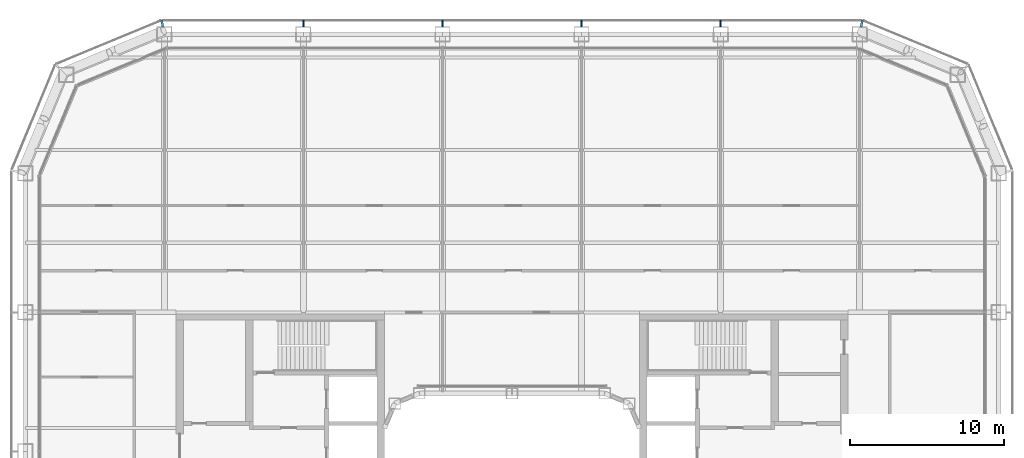
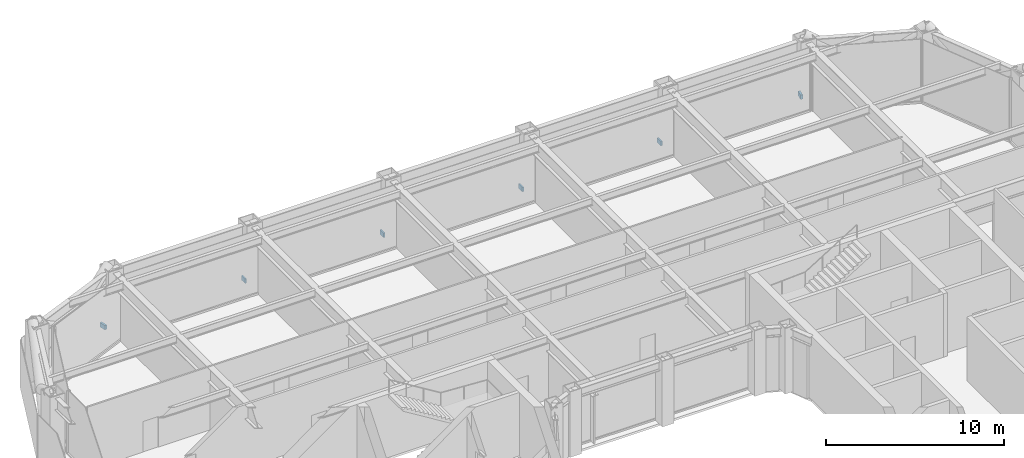
# One storey, part 19 of 24: 6 discrete accessories.
"""IFC4 building model written with IfcOpenShell, lengths in metres."""

from ifc_helpers import new_model, si_unit, direction, frame, origin, origin_2d, place, context, subcontext, project, spatial, rectangle, extrude, material, type_object, element, save


model = new_model("IFC4")

# Units and contexts
model_context = context("Model", 3, precision=1e-05, world=origin(), true_north=direction((0.0, 1.0)))
body_context = subcontext(model_context, "Body", "Model", "MODEL_VIEW")
ifc_project = project(units=[si_unit("LENGTHUNIT", "METRE"), si_unit("AREAUNIT", "SQUARE_METRE"), si_unit("VOLUMEUNIT", "CUBIC_METRE"), si_unit("PLANEANGLEUNIT", "RADIAN"), si_unit("MASSUNIT", "GRAM", prefix="KILO")], contexts=[model_context])

# Site, building, storey
site_placement = place(None, origin())
site = spatial("IfcSite", under=ifc_project, at=site_placement, CompositionType="ELEMENT")
building_placement = place(site_placement, origin())
building = spatial("IfcBuilding", under=site, at=building_placement, Name="Siwar Civic Tower", CompositionType="ELEMENT")
storey_placement = place(building_placement, frame((0.0, 0.0, 76.199951171875)))
storey = spatial("IfcBuildingStorey", under=building, at=storey_placement, Name="L16", CompositionType="ELEMENT", Elevation=76.199951171875)

# Discrete accessories
ifc_material = material(Name="Stainless steel 316", Category="steel")
discrete_accessory_type = type_object("IfcDiscreteAccessoryType", Name="ENV-BRACKET", PredefinedType="BRACKET", material=ifc_material)
for number, where, z_axis, x_axis, name in (
    (1, (13.5, 32.18994140625, -0.14990234375), (0.0, 0.0, 1.0), (0.0, 1.0, 0.0), "Bracket outer skin joint N-01"),
    (2, (4.5, 32.18994140625, -0.14990234375), (0.0, 0.0, 1.0), (0.0, 1.0, 0.0), "Bracket outer skin joint N-02"),
    (3, (-4.5, 32.18994140625, -0.14990234375), (0.0, 0.0, 1.0), (0.0, 1.0, 0.0), "Bracket outer skin joint N-03"),
    (4, (-13.5, 32.18994140625, -0.14990234375), (0.0, 0.0, 1.0), (0.0, 1.0, 0.0), "Bracket outer skin joint N-04"),
):
    element("IfcDiscreteAccessory", number, at=place(storey_placement, frame(where, z_axis=z_axis, x_axis=x_axis)), inside=storey, type_object=discrete_accessory_type, Name=name, PredefinedType="BRACKET", context=body_context, shape_type="SweptSolid", body=[
        extrude(rectangle(XDim=0.419921875, YDim=0.10009765625, at=origin_2d()), origin(), (0.0, 0.0, 1.0), 0.300048828125),
    ])
for number, where, z_axis, x_axis, name in (
    (5, (22.63720703125, 32.190185546875, -0.14990234375), (0.0, 0.0, 1.0), (0.195090322016, 0.980785280403, 0.0), "Bracket outer skin joint V06"),
    (6, (-22.63720703125, 32.190185546875, -0.14990234375), (0.0, 0.0, 1.0), (-0.195090322016, 0.980785280403, 0.0), "Bracket outer skin joint V07"),
):
    element("IfcDiscreteAccessory", number, at=place(storey_placement, frame(where, z_axis=z_axis, x_axis=x_axis)), inside=storey, type_object=discrete_accessory_type, Name=name, PredefinedType="BRACKET", context=body_context, shape_type="SweptSolid", body=[
        extrude(rectangle(XDim=0.427734375, YDim=0.13720703125, at=origin_2d()), origin(), (0.0, 0.0, 1.0), 0.300048828125),
    ])

save(model, "model.ifc")
